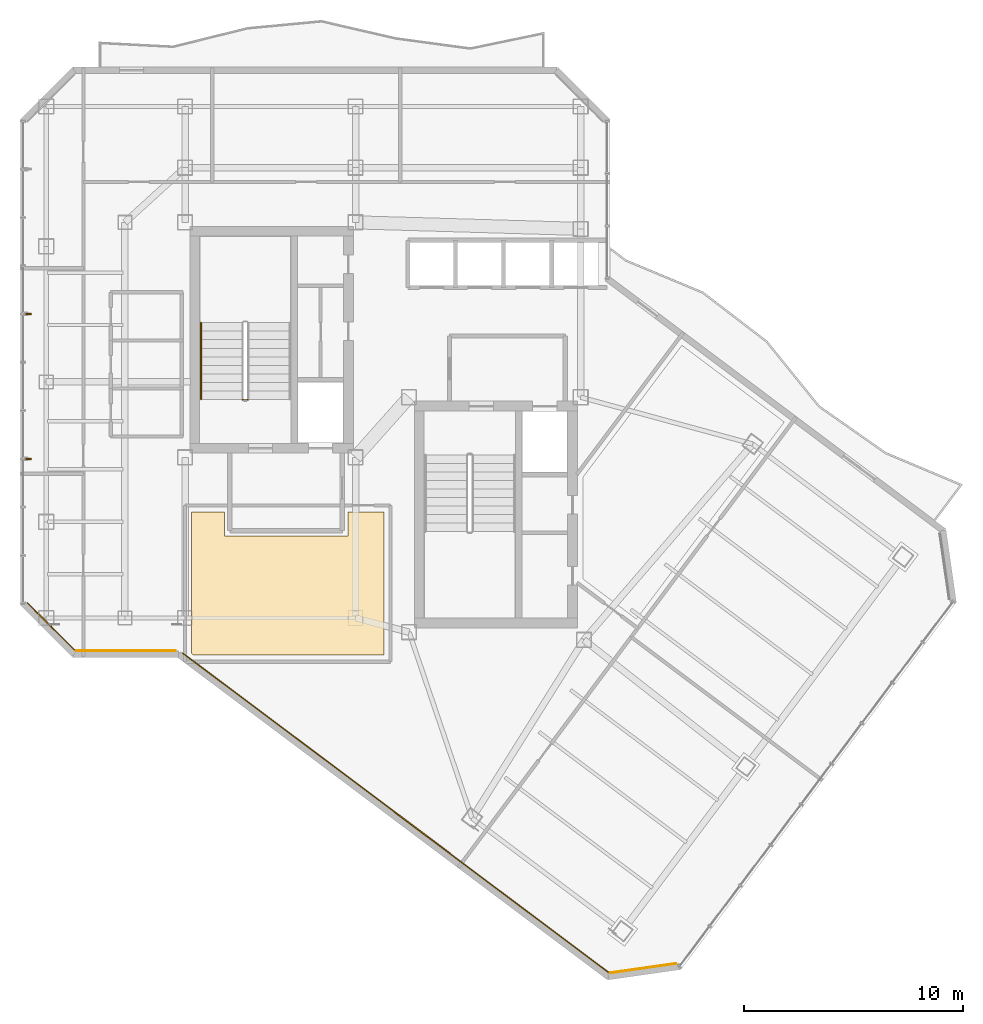
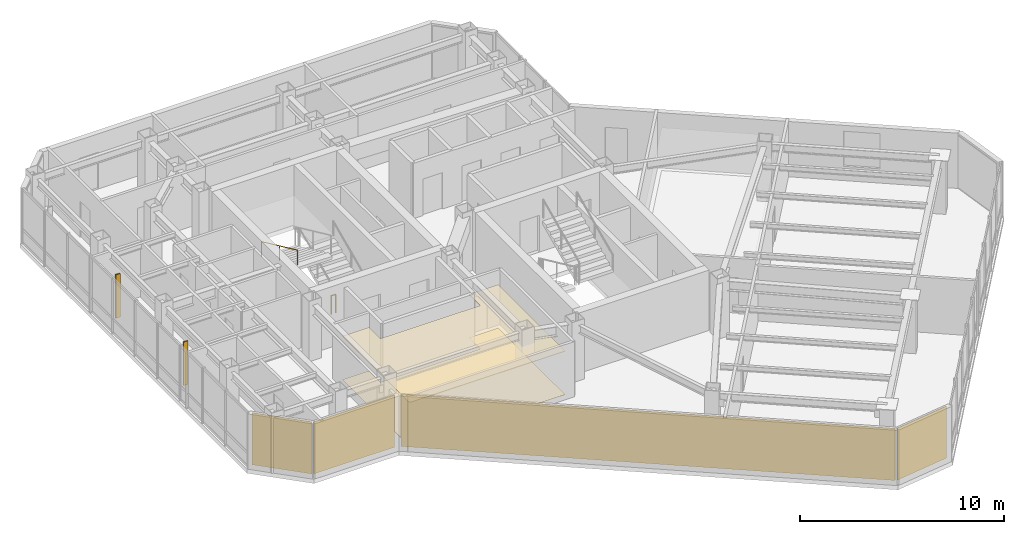
# One storey, part 22 of 25: 6 coverings, 2 railings, 2 shading devices.
"""IFC4 building model written with IfcOpenShell, lengths in metres."""

from ifc_helpers import new_model, si_unit, direction, frame, origin, origin_2d, place, context, subcontext, project, spatial, polyline, rectangle, circle, outline, extrude, material, layer, layer_set, type_object, element, save


model = new_model("IFC4")

# Units and contexts
model_context = context("Model", 3, precision=1e-05, world=origin(), true_north=direction((0.0, 1.0)))
body_context = subcontext(model_context, "Body", "Model", "MODEL_VIEW")
ifc_project = project(units=[si_unit("LENGTHUNIT", "METRE"), si_unit("AREAUNIT", "SQUARE_METRE"), si_unit("VOLUMEUNIT", "CUBIC_METRE"), si_unit("PLANEANGLEUNIT", "RADIAN"), si_unit("MASSUNIT", "GRAM", prefix="KILO")], contexts=[model_context])

# Site, building, storey
site_placement = place(None, origin())
site = spatial("IfcSite", under=ifc_project, at=site_placement, CompositionType="ELEMENT")
building_placement = place(site_placement, origin())
building = spatial("IfcBuilding", under=site, at=building_placement, Name="Hatsunagi Terrace Concourse", CompositionType="ELEMENT")
storey_placement = place(building_placement, frame((0.0, 0.0, 231.14990234375)))
storey = spatial("IfcBuildingStorey", under=building, at=storey_placement, Name="L61", CompositionType="ELEMENT", Elevation=231.14990234375)

# Covering
ifc_material_1 = material(Name="Hardwood timber", Category="wood")
ifc_layer_1 = layer(ifc_material_1, 0.014892578125)
ifc_layer_set_1 = layer_set([ifc_layer_1], Name="HardwoodTimberFlooring_15")
covering_type_1 = type_object("IfcCoveringType", Name="HardwoodTimberFlooring_15", PredefinedType="FLOORING", material=ifc_layer_set_1)
covering_1_placement = place(storey_placement, origin())
element("IfcCovering", 1, at=covering_1_placement, inside=storey, type_object=covering_type_1, Name="Finished Flooring L61-2", PredefinedType="FLOORING", context=body_context, shape_type="SweptSolid", body=[
    extrude(outline(polyline([(34.64990234375, 23.5), (34.64990234375, 30.050048828125), (33.007080078125, 30.050048828125), (33.0009765625, 28.94189453125), (27.35205078125, 28.94189453125), (27.343994140625, 30.050048828125), (25.85009765625, 30.050048828125), (25.85009765625, 23.574951171875), (25.949951171875, 23.5), (34.64990234375, 23.5)])), origin(), (0.0, 0.0, 1.0), 0.01513671875),
])

# Railings
ifc_material_2 = material(Name="Stainless steel", Category="steel")
ifc_layer_2 = layer(ifc_material_2, 0.044921875)
ifc_layer_set_2 = layer_set([ifc_layer_2], Name="StairPitchHandrail_Tower2000")
railing_type_1 = type_object("IfcRailingType", Name="StairPitchHandrail_Tower2000", PredefinedType="HANDRAIL", material=ifc_layer_set_2)
railing_1_placement = place(storey_placement, frame((26.280029296875, 38.7099609375, 1.97998046875)))
element("IfcRailing", 2, at=railing_1_placement, inside=storey, type_object=railing_type_1, Name="L61 ST-A stair handrail 2", PredefinedType="HANDRAIL", context=body_context, shape_type="SweptSolid", body=[
    extrude(circle(Radius=0.02392578125, at=origin_2d()), frame((0.0, 0.0, 0.8759765625), z_axis=(0.0, -0.907948293929, 0.419082206198), x_axis=(1.0, 0.0, 0.0)), (0.0, 0.0, 1.0), 3.865966796875),
    extrude(circle(Radius=0.02099609375, at=origin_2d()), origin(), (0.0, 0.0, 1.0), 0.851806640625),
    extrude(circle(Radius=0.02099609375, at=origin_2d()), frame((0.0, -1.7548828125, 0.81005859375)), (0.0, 0.0, 1.0), 0.851806640625),
    extrude(circle(Radius=0.02099609375, at=origin_2d()), frame((0.0, -3.510009765625, 1.6201171875)), (0.0, 0.0, 1.0), 0.851806640625),
])
ifc_material_3 = material(Name="Stainless Steel SUS316 Post-and-Rail Guard", Category="steel")
ifc_layer_3 = layer(ifc_material_3, 0.080078125)
ifc_layer_set_3 = layer_set([ifc_layer_3], Name="TerracePlantedGuardRail_1200")
railing_type_2 = type_object("IfcRailingType", Name="TerracePlantedGuardRail_1200", PredefinedType="GUARDRAIL", material=ifc_layer_set_3)
railing_2_placement = place(storey_placement, frame((28.179931640625, 35.179931640625, 0.0)))
element("IfcRailing", 3, at=railing_2_placement, inside=storey, type_object=railing_type_2, Name="Stair ST-A Well Closure Guard L61", PredefinedType="GUARDRAIL", context=body_context, shape_type="SweptSolid", body=[
    extrude(circle(Radius=0.02392578125, at=origin_2d()), frame((0.0, 0.0, 1.09619140625), z_axis=(1.0, 0.0, 0.0), x_axis=(0.0, 1.0, 0.0)), (0.0, 0.0, 1.0), 0.25),
    extrude(circle(Radius=0.02099609375, at=origin_2d()), origin(), (0.0, 0.0, 1.0), 1.072021484375),
    extrude(circle(Radius=0.02099609375, at=origin_2d()), frame((0.25, 0.0, 0.0)), (0.0, 0.0, 1.0), 1.072021484375),
])

# Shading devices
ifc_material_4 = material(Name="Extruded Unglazed Terracotta Baguette", Category="masonry")
shading_device_type = type_object("IfcShadingDeviceType", Name="TerracottaFinScreen_260x70", PredefinedType="USERDEFINED", material=ifc_material_4)
for number, where, z_axis, x_axis, name in (
    (4, (18.389892578125, 32.48291015625, 0.85009765625), (0.0, 0.0, 1.0), (0.0, 1.0, 0.0), "Terracotta Baguette Fin Screen SCR-01"),
    (5, (18.389892578125, 39.10791015625, 0.85009765625), (0.0, 0.0, 1.0), (0.0, 1.0, 0.0), "Terracotta Baguette Fin Screen SCR-01"),
):
    element("IfcShadingDevice", number, at=place(storey_placement, frame(where, z_axis=z_axis, x_axis=x_axis)), inside=storey, type_object=shading_device_type, Name=name, ObjectType="SUNSHADE", PredefinedType="USERDEFINED", context=body_context, shape_type="SweptSolid", body=[
        extrude(rectangle(XDim=0.070068359375, YDim=0.260009765625, at=origin_2d()), origin(), (0.0, 0.0, 1.0), 2.60009765625),
    ])

# Coverings
ifc_material_5 = material(Name="Unglazed Warm Terracotta Rainscreen Tile", Category="masonry")
ifc_layer_4 = layer(ifc_material_5, 0.044921875)
ifc_layer_set_4 = layer_set([ifc_layer_4], Name="TerracottaRainscreenCladding_45")
covering_type_2 = type_object("IfcCoveringType", Name="TerracottaRainscreenCladding_45", PredefinedType="CLADDING", material=ifc_layer_set_4)
covering_2_placement = place(storey_placement, frame((46.51806640625, 9.178955078125, 0.10009765625), z_axis=(0.0, 0.0, 1.0), x_axis=(-0.989973920543, -0.141250262458, 0.0)))
element("IfcCovering", 6, at=covering_2_placement, inside=storey, type_object=covering_type_2, Name="Terracotta Rainscreen Cladding L61-04", PredefinedType="CLADDING", context=body_context, shape_type="SweptSolid", body=[
    extrude(rectangle(XDim=3.0380859375, YDim=0.044921875, at=origin_2d()), origin(), (0.0, 0.0, 1.0), 3.10009765625),
])
covering_3_placement = place(storey_placement, frame((35.179931640625, 16.29296875, 0.10009765625), z_axis=(0.0, 0.0, 1.0), x_axis=(-0.800005211305, 0.599993051531, 0.0)))
element("IfcCovering", 7, at=covering_3_placement, inside=storey, type_object=covering_type_2, Name="Terracotta Rainscreen Cladding L61-05", PredefinedType="CLADDING", context=body_context, shape_type="SweptSolid", body=[
    extrude(rectangle(XDim=24.34912109375, YDim=0.044921875, at=origin_2d()), origin(), (0.0, 0.0, 1.0), 3.10009765625),
])
covering_4_placement = place(storey_placement, frame((22.85205078125, 23.701904296875, 0.10009765625), z_axis=(0.0, 0.0, 1.0), x_axis=(-1.0, 0.0, 0.0)))
element("IfcCovering", 8, at=covering_4_placement, inside=storey, type_object=covering_type_2, Name="Terracotta Rainscreen Cladding L61-06", PredefinedType="CLADDING", context=body_context, shape_type="SweptSolid", body=[
    extrude(rectangle(XDim=4.549072265625, YDim=0.044921875, at=origin_2d()), origin(), (0.0, 0.0, 1.0), 3.10009765625),
])
covering_5_placement = place(storey_placement, frame((19.4140625, 24.81396484375, 0.10009765625), z_axis=(0.0, 0.0, 1.0), x_axis=(-0.707106781187, 0.707106781187, 0.0)))
element("IfcCovering", 9, at=covering_5_placement, inside=storey, type_object=covering_type_2, Name="Terracotta Rainscreen Cladding L61-07", PredefinedType="CLADDING", context=body_context, shape_type="SweptSolid", body=[
    extrude(rectangle(XDim=3.0380859375, YDim=0.044921875, at=origin_2d()), origin(), (0.0, 0.0, 1.0), 3.10009765625),
])
ifc_material_6 = material(Name="Hardwood timber", Category="wood")
ifc_layer_5 = layer(ifc_material_6, 0.034912109375)
ifc_layer_set_5 = layer_set([ifc_layer_5], Name="TimberBaffleCeiling_35")
covering_type_3 = type_object("IfcCoveringType", Name="TimberBaffleCeiling_35", PredefinedType="CEILING", material=ifc_layer_set_5)
covering_6_placement = place(storey_placement, frame((0.0, 0.0, 2.580078125)))
element("IfcCovering", 10, at=covering_6_placement, inside=storey, type_object=covering_type_3, Name="Suspended Ceiling L61-2", PredefinedType="CEILING", context=body_context, shape_type="SweptSolid", body=[
    extrude(outline(polyline([(34.64990234375, 23.5), (34.64990234375, 30.050048828125), (33.007080078125, 30.050048828125), (33.0009765625, 28.94189453125), (27.35205078125, 28.94189453125), (27.343994140625, 30.050048828125), (25.85009765625, 30.050048828125), (25.85009765625, 23.574951171875), (25.949951171875, 23.5), (34.64990234375, 23.5)])), origin(), (0.0, 0.0, 1.0), 0.034912109375),
])

save(model, "model.ifc")
